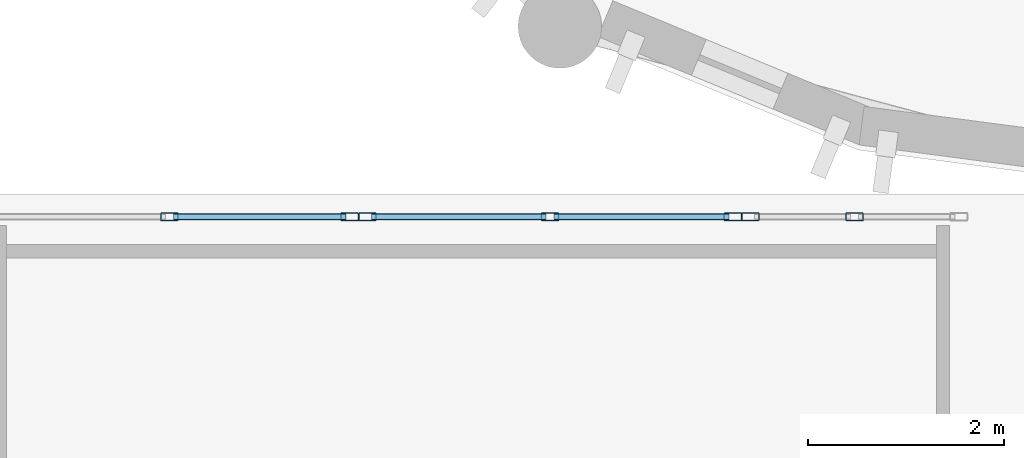
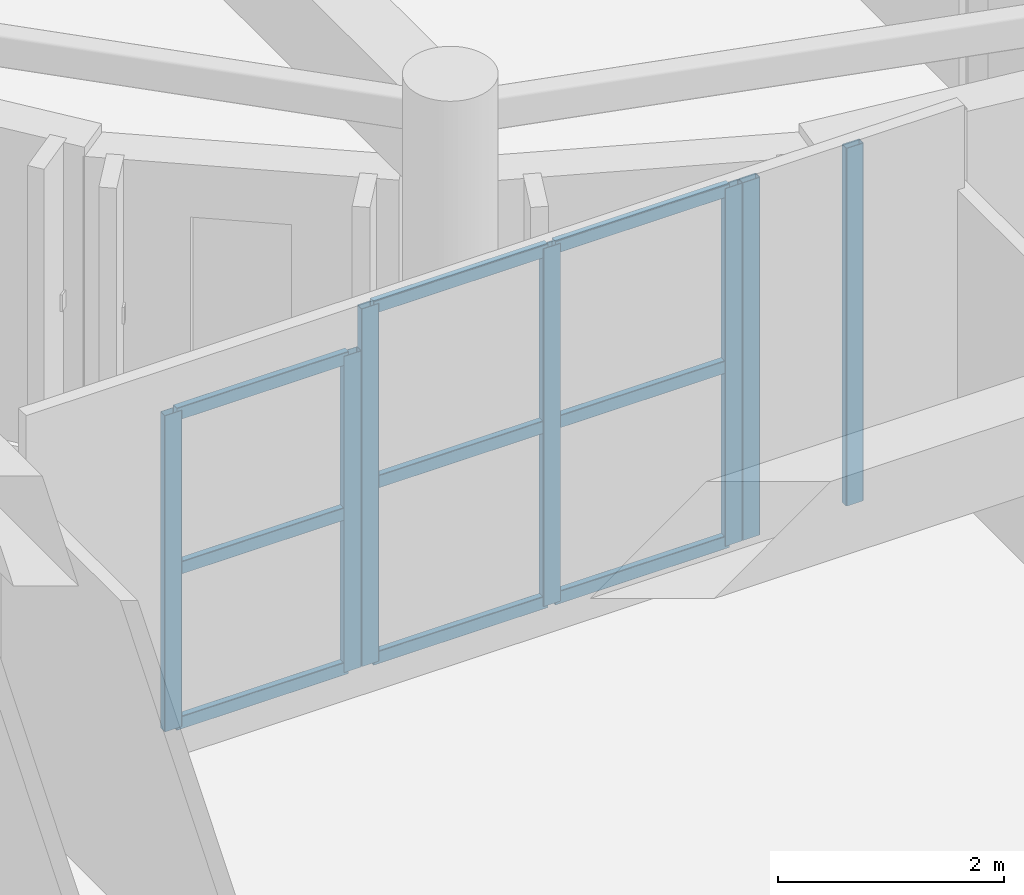
# One storey, part 29 of 92: 16 members, 3 elements without a shape of their own.
"""IFC4 building model written with IfcOpenShell, lengths in metres."""

from ifc_helpers import new_model, si_unit, direction, frame, origin, origin_2d, place, context, subcontext, project, spatial, hollow_rectangle, extrude, material, layer, layer_set, material_profile, profile_set, type_object, element, aggregate, save


model = new_model("IFC4")

# Units and contexts
model_context = context("Model", 3, precision=1e-05, world=origin(), true_north=direction((0.0, 1.0)))
body_context = subcontext(model_context, "Body", "Model", "MODEL_VIEW")
ifc_project = project(units=[si_unit("LENGTHUNIT", "METRE"), si_unit("AREAUNIT", "SQUARE_METRE"), si_unit("VOLUMEUNIT", "CUBIC_METRE"), si_unit("PLANEANGLEUNIT", "RADIAN"), si_unit("MASSUNIT", "GRAM", prefix="KILO")], contexts=[model_context])

# Site, building, storey
site_placement = place(None, origin())
site = spatial("IfcSite", under=ifc_project, at=site_placement, CompositionType="ELEMENT")
building_placement = place(site_placement, origin())
building = spatial("IfcBuilding", under=site, at=building_placement, Name="Tarnavel Promenade Courthouse", CompositionType="ELEMENT")
storey_placement = place(building_placement, frame((0.0, 0.0, 5.39990234375)))
storey = spatial("IfcBuildingStorey", under=building, at=storey_placement, Name="L02", CompositionType="ELEMENT", Elevation=5.39990234375)

# Curtain wall, members
ifc_material_1 = material(Name="Thermally Broken Anodised Aluminium Curtain Wall System", Category="aluminium")
ifc_layer = layer(ifc_material_1, 0.2099609375)
ifc_layer_set = layer_set([ifc_layer], Name="Thermally Broken Anodised Aluminium Curtain Wall System")
curtain_wall_type = type_object("IfcCurtainWallType", Name="Thermally Broken Aluminium Triple-Glazed Curtain Wall CW-WG-N", PredefinedType="NOTDEFINED", material=ifc_layer_set)
curtain_wall_1_placement = place(storey_placement, origin())
curtain_wall_1 = element("IfcCurtainWall", 1, at=curtain_wall_1_placement, inside=storey, type_object=curtain_wall_type, Name="L02 Winter-Garden North Curtain Wall 108", PredefinedType="NOTDEFINED")
ifc_material_2 = material(Name="Thermally Broken Anodised Aluminium Frame", Category="aluminium")
ifc_material_profile_1 = material_profile(ifc_material_2, hollow_rectangle(XDim=0.080078125, YDim=0.179931640625, WallThickness=0.0048828125, InnerFilletRadius=0.0048828125, OuterFilletRadius=0.010009765625, at=origin_2d()), Name="CWM 180x80x5")
ifc_profile_set_1 = profile_set([ifc_material_profile_1], Name="Thermally Broken Anodised Aluminium Frame")
member_type_1 = type_object("IfcMemberType", Name="Thermally Broken Anodised Aluminium CWM-155 (CWM 180x80x5)", PredefinedType="MULLION", material=ifc_profile_set_1)
member_1_placement = place(storey_placement, frame((48.52490234375, 78.949951171875, 0.0), z_axis=(0.0, 0.0, 1.0), x_axis=(0.0, 1.0, 0.0)))
member_1 = element("IfcMember", 2, at=member_1_placement, type_object=member_type_1, Name="CW-03 mullion 2", PredefinedType="MULLION", context=body_context, shape_type="SweptSolid", body=[
    extrude(hollow_rectangle(XDim=0.080078125, YDim=0.179931640625, WallThickness=0.0048828125, InnerFilletRadius=0.0048828125, OuterFilletRadius=0.010009765625, at=origin_2d()), origin(), (0.0, 0.0, 1.0), 3.420166015625),
])
member_2_placement = place(storey_placement, frame((50.360107421875, 78.949951171875, 0.0), z_axis=(0.0, 0.0, 1.0), x_axis=(0.0, 1.0, 0.0)))
member_2 = element("IfcMember", 3, at=member_2_placement, type_object=member_type_1, Name="CW-03 mullion 3", PredefinedType="MULLION", context=body_context, shape_type="SweptSolid", body=[
    extrude(hollow_rectangle(XDim=0.080078125, YDim=0.179931640625, WallThickness=0.0048828125, InnerFilletRadius=0.0048828125, OuterFilletRadius=0.010009765625, at=origin_2d()), origin(), (0.0, 0.0, 1.0), 3.420166015625),
])

curtain_wall_2_placement = place(storey_placement, origin())
curtain_wall_2 = element("IfcCurtainWall", 4, at=curtain_wall_2_placement, inside=storey, type_object=curtain_wall_type, Name="L02 Winter-Garden North Curtain Wall 109", PredefinedType="NOTDEFINED")
member_3_placement = place(storey_placement, frame((50.5400390625, 78.949951171875, 0.0), z_axis=(0.0, 0.0, 1.0), x_axis=(0.0, 1.0, 0.0)))
member_3 = element("IfcMember", 5, at=member_3_placement, type_object=member_type_1, Name="CW-03 mullion 1", PredefinedType="MULLION", context=body_context, shape_type="SweptSolid", body=[
    extrude(hollow_rectangle(XDim=0.080078125, YDim=0.179931640625, WallThickness=0.0048828125, InnerFilletRadius=0.0048828125, OuterFilletRadius=0.010009765625, at=origin_2d()), origin(), (0.0, 0.0, 1.0), 3.8701171875),
])
member_4_placement = place(storey_placement, frame((52.39990234375, 78.949951171875, 0.0), z_axis=(0.0, 0.0, 1.0), x_axis=(0.0, 1.0, 0.0)))
member_4 = element("IfcMember", 6, at=member_4_placement, type_object=member_type_1, Name="CW-03 mullion 2", PredefinedType="MULLION", context=body_context, shape_type="SweptSolid", body=[
    extrude(hollow_rectangle(XDim=0.080078125, YDim=0.179931640625, WallThickness=0.0048828125, InnerFilletRadius=0.0048828125, OuterFilletRadius=0.010009765625, at=origin_2d()), origin(), (0.0, 0.0, 1.0), 3.8701171875),
])
member_5_placement = place(storey_placement, frame((54.260009765625, 78.949951171875, 0.0), z_axis=(0.0, 0.0, 1.0), x_axis=(0.0, 1.0, 0.0)))
member_5 = element("IfcMember", 7, at=member_5_placement, type_object=member_type_1, Name="CW-03 mullion 3", PredefinedType="MULLION", context=body_context, shape_type="SweptSolid", body=[
    extrude(hollow_rectangle(XDim=0.080078125, YDim=0.179931640625, WallThickness=0.0048828125, InnerFilletRadius=0.0048828125, OuterFilletRadius=0.010009765625, at=origin_2d()), origin(), (0.0, 0.0, 1.0), 3.8701171875),
])

curtain_wall_3_placement = place(storey_placement, origin())
curtain_wall_3 = element("IfcCurtainWall", 8, at=curtain_wall_3_placement, inside=storey, type_object=curtain_wall_type, Name="L02 Winter-Garden North Curtain Wall 110", PredefinedType="NOTDEFINED")
member_6_placement = place(storey_placement, frame((54.43994140625, 78.949951171875, 0.0), z_axis=(0.0, 0.0, 1.0), x_axis=(0.0, 1.0, 0.0)))
member_6 = element("IfcMember", 9, at=member_6_placement, type_object=member_type_1, Name="CW-03 mullion 1", PredefinedType="MULLION", context=body_context, shape_type="SweptSolid", body=[
    extrude(hollow_rectangle(XDim=0.080078125, YDim=0.179931640625, WallThickness=0.0048828125, InnerFilletRadius=0.0048828125, OuterFilletRadius=0.010009765625, at=origin_2d()), origin(), (0.0, 0.0, 1.0), 3.8701171875),
])
member_7_placement = place(storey_placement, frame((55.5, 78.949951171875, 0.0), z_axis=(0.0, 0.0, 1.0), x_axis=(0.0, 1.0, 0.0)))
member_7 = element("IfcMember", 10, at=member_7_placement, type_object=member_type_1, Name="CW-03 mullion 2", PredefinedType="MULLION", context=body_context, shape_type="SweptSolid", body=[
    extrude(hollow_rectangle(XDim=0.080078125, YDim=0.179931640625, WallThickness=0.0048828125, InnerFilletRadius=0.0048828125, OuterFilletRadius=0.010009765625, at=origin_2d()), origin(), (0.0, 0.0, 1.0), 3.8701171875),
])
aggregate(curtain_wall_3, [member_6, member_7])

# Member
ifc_material_profile_2 = material_profile(ifc_material_2, hollow_rectangle(XDim=0.070068359375, YDim=0.139892578125, WallThickness=0.0048828125, InnerFilletRadius=0.0048828125, OuterFilletRadius=0.010009765625, at=origin_2d()), Name="CWT 140x70x5")
ifc_profile_set_2 = profile_set([ifc_material_profile_2], Name="Thermally Broken Anodised Aluminium Frame")
member_type_2 = type_object("IfcMemberType", Name="Thermally Broken Anodised Aluminium CWT-125 (CWT 140x70x5)", PredefinedType="USERDEFINED", material=ifc_profile_set_2)
member_8_placement = place(storey_placement, frame((48.56494140625, 78.949951171875, 0.03515625), z_axis=(1.0, 0.0, 0.0), x_axis=(0.0, 1.0, 0.0)))
member_8 = element("IfcMember", 11, at=member_8_placement, type_object=member_type_2, Name="CW-03 transom 2.1", ObjectType="TRANSOM", PredefinedType="USERDEFINED", context=body_context, shape_type="SweptSolid", body=[
    extrude(hollow_rectangle(XDim=0.070068359375, YDim=0.139892578125, WallThickness=0.0048828125, InnerFilletRadius=0.0048828125, OuterFilletRadius=0.010009765625, at=origin_2d()), origin(), (0.0, 0.0, 1.0), 1.755126953125),
])

member_9_placement = place(storey_placement, frame((48.56494140625, 78.949951171875, 1.710205078125), z_axis=(1.0, 0.0, 0.0), x_axis=(0.0, 1.0, 0.0)))
member_9 = element("IfcMember", 12, at=member_9_placement, type_object=member_type_2, Name="CW-03 transom 2.2", ObjectType="TRANSOM", PredefinedType="USERDEFINED", context=body_context, shape_type="SweptSolid", body=[
    extrude(hollow_rectangle(XDim=0.070068359375, YDim=0.139892578125, WallThickness=0.0048828125, InnerFilletRadius=0.0048828125, OuterFilletRadius=0.010009765625, at=origin_2d()), origin(), (0.0, 0.0, 1.0), 1.755126953125),
])

member_10_placement = place(storey_placement, frame((48.56494140625, 78.949951171875, 3.385009765625), z_axis=(1.0, 0.0, 0.0), x_axis=(0.0, 1.0, 0.0)))
member_10 = element("IfcMember", 13, at=member_10_placement, type_object=member_type_2, Name="CW-03 transom 2.3", ObjectType="TRANSOM", PredefinedType="USERDEFINED", context=body_context, shape_type="SweptSolid", body=[
    extrude(hollow_rectangle(XDim=0.070068359375, YDim=0.139892578125, WallThickness=0.0048828125, InnerFilletRadius=0.0048828125, OuterFilletRadius=0.010009765625, at=origin_2d()), origin(), (0.0, 0.0, 1.0), 1.755126953125),
])

aggregate(curtain_wall_1, [member_1, member_2, member_8, member_9, member_10])

member_11_placement = place(storey_placement, frame((50.580078125, 78.949951171875, 0.03515625), z_axis=(1.0, 0.0, 0.0), x_axis=(0.0, 1.0, 0.0)))
member_11 = element("IfcMember", 14, at=member_11_placement, type_object=member_type_2, Name="CW-03 transom 1.1", ObjectType="TRANSOM", PredefinedType="USERDEFINED", context=body_context, shape_type="SweptSolid", body=[
    extrude(hollow_rectangle(XDim=0.070068359375, YDim=0.139892578125, WallThickness=0.0048828125, InnerFilletRadius=0.0048828125, OuterFilletRadius=0.010009765625, at=origin_2d()), origin(), (0.0, 0.0, 1.0), 1.780029296875),
])

member_12_placement = place(storey_placement, frame((50.580078125, 78.949951171875, 1.93505859375), z_axis=(1.0, 0.0, 0.0), x_axis=(0.0, 1.0, 0.0)))
member_12 = element("IfcMember", 15, at=member_12_placement, type_object=member_type_2, Name="CW-03 transom 1.2", ObjectType="TRANSOM", PredefinedType="USERDEFINED", context=body_context, shape_type="SweptSolid", body=[
    extrude(hollow_rectangle(XDim=0.070068359375, YDim=0.139892578125, WallThickness=0.0048828125, InnerFilletRadius=0.0048828125, OuterFilletRadius=0.010009765625, at=origin_2d()), origin(), (0.0, 0.0, 1.0), 1.780029296875),
])

member_13_placement = place(storey_placement, frame((50.580078125, 78.949951171875, 3.835205078125), z_axis=(1.0, 0.0, 0.0), x_axis=(0.0, 1.0, 0.0)))
member_13 = element("IfcMember", 16, at=member_13_placement, type_object=member_type_2, Name="CW-03 transom 1.3", ObjectType="TRANSOM", PredefinedType="USERDEFINED", context=body_context, shape_type="SweptSolid", body=[
    extrude(hollow_rectangle(XDim=0.070068359375, YDim=0.139892578125, WallThickness=0.0048828125, InnerFilletRadius=0.0048828125, OuterFilletRadius=0.010009765625, at=origin_2d()), origin(), (0.0, 0.0, 1.0), 1.780029296875),
])

member_14_placement = place(storey_placement, frame((52.43994140625, 78.949951171875, 0.03515625), z_axis=(1.0, 0.0, 0.0), x_axis=(0.0, 1.0, 0.0)))
member_14 = element("IfcMember", 17, at=member_14_placement, type_object=member_type_2, Name="CW-03 transom 2.1", ObjectType="TRANSOM", PredefinedType="USERDEFINED", context=body_context, shape_type="SweptSolid", body=[
    extrude(hollow_rectangle(XDim=0.070068359375, YDim=0.139892578125, WallThickness=0.0048828125, InnerFilletRadius=0.0048828125, OuterFilletRadius=0.010009765625, at=origin_2d()), origin(), (0.0, 0.0, 1.0), 1.780029296875),
])

member_15_placement = place(storey_placement, frame((52.43994140625, 78.949951171875, 1.93505859375), z_axis=(1.0, 0.0, 0.0), x_axis=(0.0, 1.0, 0.0)))
member_15 = element("IfcMember", 18, at=member_15_placement, type_object=member_type_2, Name="CW-03 transom 2.2", ObjectType="TRANSOM", PredefinedType="USERDEFINED", context=body_context, shape_type="SweptSolid", body=[
    extrude(hollow_rectangle(XDim=0.070068359375, YDim=0.139892578125, WallThickness=0.0048828125, InnerFilletRadius=0.0048828125, OuterFilletRadius=0.010009765625, at=origin_2d()), origin(), (0.0, 0.0, 1.0), 1.780029296875),
])

member_16_placement = place(storey_placement, frame((52.43994140625, 78.949951171875, 3.835205078125), z_axis=(1.0, 0.0, 0.0), x_axis=(0.0, 1.0, 0.0)))
member_16 = element("IfcMember", 19, at=member_16_placement, type_object=member_type_2, Name="CW-03 transom 2.3", ObjectType="TRANSOM", PredefinedType="USERDEFINED", context=body_context, shape_type="SweptSolid", body=[
    extrude(hollow_rectangle(XDim=0.070068359375, YDim=0.139892578125, WallThickness=0.0048828125, InnerFilletRadius=0.0048828125, OuterFilletRadius=0.010009765625, at=origin_2d()), origin(), (0.0, 0.0, 1.0), 1.780029296875),
])

aggregate(curtain_wall_2, [member_3, member_4, member_5, member_11, member_12, member_13, member_14, member_15, member_16])

save(model, "model.ifc")
